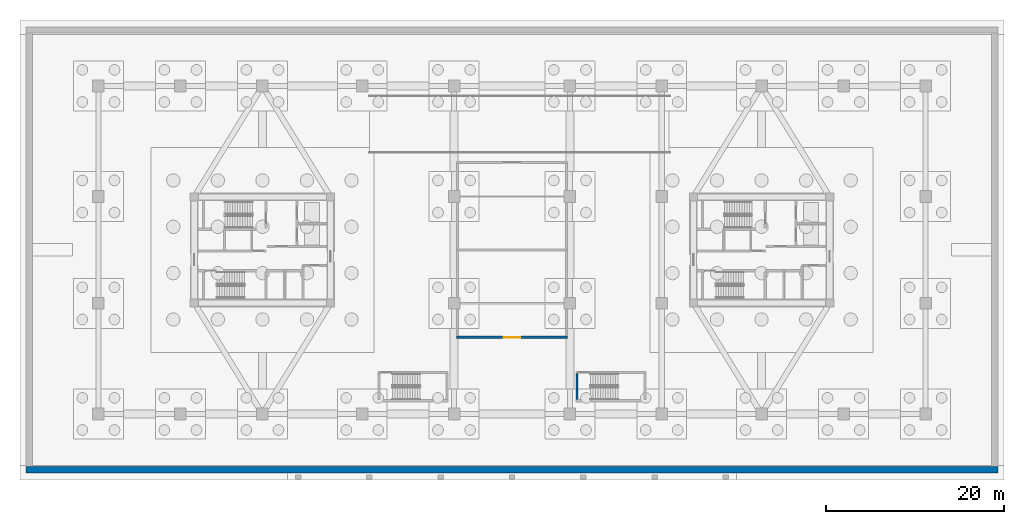
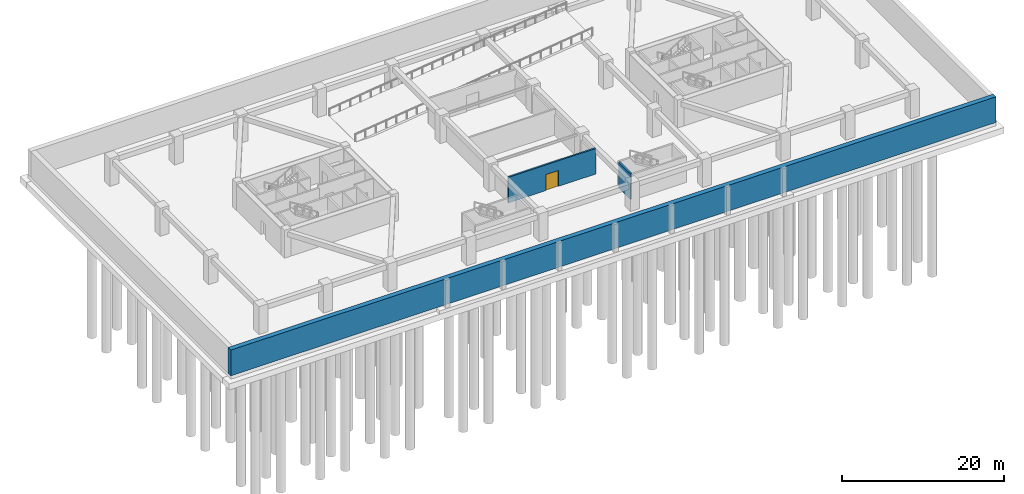
# One storey, part 5 of 14: 3 walls, 1 door, 1 opening.
"""IFC4 building model written with IfcOpenShell, lengths in metres."""

from ifc_helpers import new_model, si_unit, direction, frame, frame_2d, origin, place, context, subcontext, project, spatial, rectangle, extrude, source, transform, mapped, material, layer, layer_set, type_object, type_shapes, element, fill, save


model = new_model("IFC4")

# Units and contexts
model_context = context("Model", 3, precision=1e-05, world=origin(), true_north=direction((0.0, 1.0)))
body_context = subcontext(model_context, "Body", "Model", "MODEL_VIEW")
ifc_project = project(units=[si_unit("LENGTHUNIT", "METRE"), si_unit("AREAUNIT", "SQUARE_METRE"), si_unit("VOLUMEUNIT", "CUBIC_METRE"), si_unit("PLANEANGLEUNIT", "RADIAN"), si_unit("MASSUNIT", "GRAM", prefix="KILO")], contexts=[model_context])

# Site, building, storey
site_placement = place(None, origin())
site = spatial("IfcSite", under=ifc_project, at=site_placement, CompositionType="ELEMENT")
building_placement = place(site_placement, origin())
building = spatial("IfcBuilding", under=site, at=building_placement, Name="Norrkilde Senior Care Towers", CompositionType="ELEMENT")
storey_placement = place(building_placement, frame((0.0, 0.0, -8.39990234375)))
storey = spatial("IfcBuildingStorey", under=building, at=storey_placement, Name="B2", CompositionType="ELEMENT", Elevation=-8.39990234375)

# Walls
ifc_material_1 = material(Name="Concrete C50/60", Category="concrete")
ifc_layer_1 = layer(ifc_material_1, 0.679931640625)
ifc_layer_set_1 = layer_set([ifc_layer_1], Name="Concrete C50/60")
wall_type_1 = type_object("IfcWallType", Name="Basement Retaining Wall 680", PredefinedType="SOLIDWALL", material=ifc_layer_set_1)
shared_shape_1 = source(origin(), body_context, "Body", "SweptSolid", [
    extrude(rectangle(XDim=109.0, YDim=0.679931640625, at=frame_2d((54.5, 0.0))), origin(), (0.0, 0.0, 1.0), 3.8798828125),
])
type_shapes(wall_type_1, [shared_shape_1])
wall_1_placement = place(storey_placement, frame((-54.5, -24.659912109375, 0.0), z_axis=(0.0, 0.0, 1.0), x_axis=(1.0, 0.0, 0.0)))
element("IfcWall", 1, at=wall_1_placement, inside=storey, type_object=wall_type_1, Name="B2 S Perimeter Retaining Wall", PredefinedType="SOLIDWALL", context=body_context, shape_type="MappedRepresentation", body=[
    mapped(shared_shape_1, transform((0.0, 0.0, 0.0), x_axis=(1.0, 0.0, 0.0), y_axis=(0.0, 1.0, 0.0), z_axis=(0.0, 0.0, 1.0), scale=1.0)),
])
ifc_material_2 = material(Name="Concrete C45/55", Category="concrete")
ifc_layer_2 = layer(ifc_material_2, 0.239990234375)
ifc_layer_set_2 = layer_set([ifc_layer_2], Name="Concrete C45/55")
wall_type_2 = type_object("IfcWallType", Name="Shaft and Stair Enclosure Wall 240", PredefinedType="PARTITIONING", material=ifc_layer_set_2)
shared_shape_2 = source(origin(), body_context, "Body", "SweptSolid", [
    extrude(rectangle(XDim=2.949951171875, YDim=0.239990234375, at=frame_2d((1.47509765625, 0.0))), origin(), (0.0, 0.0, 1.0), 3.8798828125),
])
type_shapes(wall_type_2, [shared_shape_2])
wall_2_placement = place(storey_placement, frame((7.280029296875, -16.800048828125, 0.0), z_axis=(0.0, 0.0, 1.0), x_axis=(0.0, 1.0, 0.0)))
element("IfcWall", 2, at=wall_2_placement, inside=storey, type_object=wall_type_2, Name="WL-INT-B2-STP2-W", PredefinedType="PARTITIONING", context=body_context, shape_type="MappedRepresentation", body=[
    mapped(shared_shape_2, transform((0.0, 0.0, 0.0), x_axis=(1.0, 0.0, 0.0), y_axis=(0.0, 1.0, 0.0), z_axis=(0.0, 0.0, 1.0), scale=1.0)),
])

# Wall, opening, door
ifc_layer_3 = layer(ifc_material_2, 0.239990234375)
ifc_layer_set_3 = layer_set([ifc_layer_3], Name="Concrete C45/55")
wall_type_3 = type_object("IfcWallType", Name="Lift and Plant Rated Enclosure Partition 240", PredefinedType="PARTITIONING", material=ifc_layer_set_3)
shared_shape_3 = source(origin(), body_context, "Body", "SweptSolid", [
    extrude(rectangle(XDim=12.47998046875, YDim=0.239990234375, at=frame_2d((6.239990234375, 0.0))), origin(), (0.0, 0.0, 1.0), 3.864990234375),
])
type_shapes(wall_type_3, [shared_shape_3])
wall_3_placement = place(storey_placement, frame((-6.239990234375, -9.800048828125, 0.0), z_axis=(0.0, 0.0, 1.0), x_axis=(1.0, 0.0, 0.0)))
wall_3 = element("IfcWall", 3, at=wall_3_placement, inside=storey, type_object=wall_type_3, Name="WL-INT-B2-CPS", PredefinedType="PARTITIONING", context=body_context, shape_type="MappedRepresentation", body=[
    mapped(shared_shape_3, transform((0.0, 0.0, 0.0), x_axis=(1.0, 0.0, 0.0), y_axis=(0.0, 1.0, 0.0), z_axis=(0.0, 0.0, 1.0), scale=1.0)),
])
opening_placement = place(wall_3_placement, frame((5.340087890625, 0.0, 0.0)))
opening = element("IfcOpeningElement", 4, at=opening_placement, cuts=wall_3, Name="Opening D-11", PredefinedType="OPENING", context=body_context, shape_type="SweptSolid", body=[
    extrude(rectangle(XDim=1.800048828125, YDim=2.39990234375, at=frame_2d((0.89990234375, 1.199951171875))), frame((0.0, 0.1298828125, 0.0), z_axis=(0.0, -1.0, 0.0), x_axis=(1.0, 0.0, 0.0)), (0.0, 0.0, 1.0), 0.260009765625),
])
ifc_material_3 = material(Name="Galvanised Painted Steel", Category="steel")
door_type = type_object("IfcDoorType", Name="Double Plant Equipment Door 1800x2400", OperationType="NOTDEFINED", PredefinedType="DOOR", material=ifc_material_3)
shared_shape_4 = source(origin(), body_context, "Body", "SweptSolid", [
    extrude(rectangle(XDim=1.800048828125, YDim=2.39990234375, at=frame_2d((0.89990234375, 1.199951171875))), frame((0.0, 0.02490234375, 0.0), z_axis=(0.0, -1.0, 0.0), x_axis=(1.0, 0.0, 0.0)), (0.0, 0.0, 1.0), 0.050048828125),
])
type_shapes(door_type, [shared_shape_4])
door_placement = place(opening_placement, origin())
door = element("IfcDoor", 5, at=door_placement, inside=storey, type_object=door_type, Name="B2 Plant Room 1 Door", OperationType="DOUBLE_DOOR_SINGLE_SWING", OverallHeight=2.39990234375, OverallWidth=1.800048828125, PredefinedType="DOOR", context=body_context, shape_type="MappedRepresentation", body=[
    mapped(shared_shape_4, transform((0.0, 0.0, 0.0), x_axis=(1.0, 0.0, 0.0), y_axis=(0.0, 1.0, 0.0), z_axis=(0.0, 0.0, 1.0), scale=1.0)),
])
fill(opening, door)

save(model, "model.ifc")
